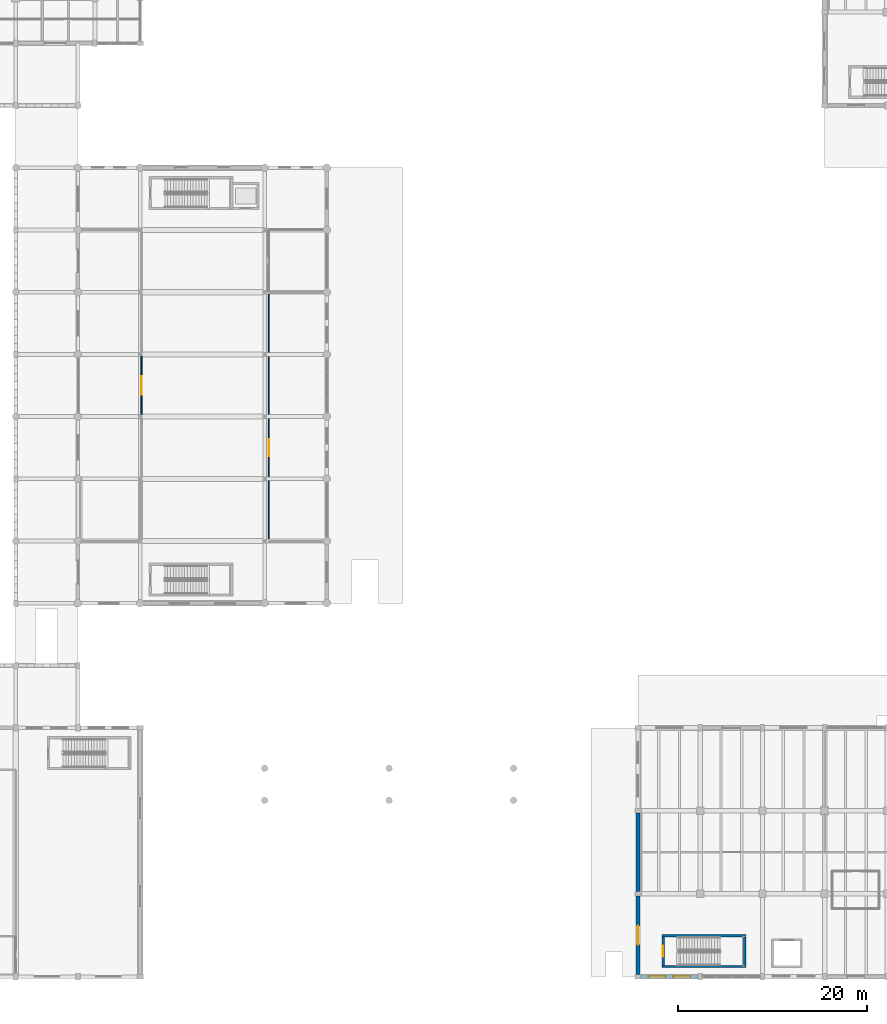
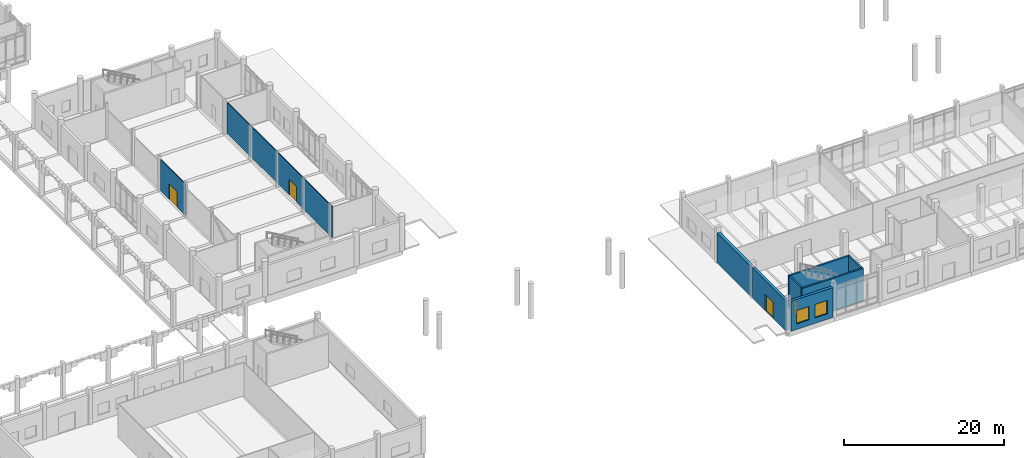
# One storey, part 46 of 72: 9 walls, 4 doors, 2 windows, 6 openings.
"""IFC4 building model written with IfcOpenShell, lengths in metres."""

from ifc_helpers import new_model, si_unit, direction, frame, frame_2d, origin, place, context, subcontext, project, spatial, rectangle, extrude, material, layer, layer_set, type_object, element, fill, save


model = new_model("IFC4")

# Units and contexts
model_context = context("Model", 3, precision=1e-05, world=origin(), true_north=direction((0.0, 1.0)))
body_context = subcontext(model_context, "Body", "Model", "MODEL_VIEW")
ifc_project = project(units=[si_unit("LENGTHUNIT", "METRE"), si_unit("AREAUNIT", "SQUARE_METRE"), si_unit("VOLUMEUNIT", "CUBIC_METRE"), si_unit("PLANEANGLEUNIT", "RADIAN"), si_unit("MASSUNIT", "GRAM", prefix="KILO")], contexts=[model_context])

# Site, building, storey
site_placement = place(None, origin())
site = spatial("IfcSite", under=ifc_project, at=site_placement, CompositionType="ELEMENT")
building_placement = place(site_placement, origin())
building = spatial("IfcBuilding", under=site, at=building_placement, Name="Dornvale Research Institute", CompositionType="ELEMENT")
storey_placement = place(building_placement, origin())
storey = spatial("IfcBuildingStorey", under=building, at=storey_placement, Name="L00", CompositionType="ELEMENT", Elevation=0.0)

# Wall, opening, door
ifc_material_1 = material(Name="Acoustic Insulated Double-Stud Laboratory Partition")
ifc_layer_1 = layer(ifc_material_1, 0.1201171875)
ifc_layer_set_1 = layer_set([ifc_layer_1], Name="Acoustic Insulated Double-Stud Laboratory Partition")
wall_type_1 = type_object("IfcWallType", Name="Partition_Dry_120", PredefinedType="PARTITIONING", material=ifc_layer_set_1)
wall_1_placement = place(storey_placement, frame((46.35009765625, 59.597900390625, 0.0), z_axis=(0.0, 0.0, 1.0), x_axis=(0.0, 1.0, 0.0)))
wall_1 = element("IfcWall", 1, at=wall_1_placement, inside=storey, type_object=wall_type_1, Name="L00 V2 interior partition #134", PredefinedType="PARTITIONING", context=body_context, shape_type="SweptSolid", body=[
    extrude(rectangle(XDim=6.2294921875, YDim=0.1201171875, at=frame_2d((3.11474609375, 0.0))), origin(), (0.0, 0.0, 1.0), 4.780029296875),
])
opening_1_placement = place(wall_1_placement, frame((2.14208984375, 0.0, 0.0)))
opening_1 = element("IfcOpeningElement", 2, at=opening_1_placement, cuts=wall_1, Name="Opening ID-16", PredefinedType="OPENING", context=body_context, shape_type="SweptSolid", body=[
    extrude(rectangle(XDim=1.919921875, YDim=2.39990234375, at=frame_2d((0.9599609375, 1.199951171875))), frame((0.0, 0.074951171875, 0.0), z_axis=(0.0, -1.0, 0.0), x_axis=(1.0, 0.0, 0.0)), (0.0, 0.0, 1.0), 0.150146484375),
])
ifc_material_2 = material(Name="Phenolic-Faced Solid-Core Laboratory Door Assembly")
door_type_1 = type_object("IfcDoorType", Name="Door_Gallery_1920x2400", OperationType="SINGLE_SWING_LEFT", PredefinedType="DOOR", material=ifc_material_2)
door_1_placement = place(opening_1_placement, origin())
door_1 = element("IfcDoor", 3, at=door_1_placement, inside=storey, type_object=door_type_1, Name="L00 Natural History Exhibition Gallery door #55", OperationType="DOUBLE_DOOR_SINGLE_SWING", OverallHeight=2.39990234375, OverallWidth=1.919921875, PredefinedType="DOOR", context=body_context, shape_type="SweptSolid", body=[
    extrude(rectangle(XDim=1.919921875, YDim=2.39990234375, at=frame_2d((0.9599609375, 1.199951171875))), frame((0.0, 0.02490234375, 0.0), z_axis=(0.0, -1.0, 0.0), x_axis=(1.0, 0.0, 0.0)), (0.0, 0.0, 1.0), 0.050048828125),
])
fill(opening_1, door_1)

wall_2_placement = place(storey_placement, frame((59.85009765625, 46.27490234375, 0.0), z_axis=(0.0, 0.0, 1.0), x_axis=(0.0, 1.0, 0.0)))
wall_2 = element("IfcWall", 4, at=wall_2_placement, inside=storey, type_object=wall_type_1, Name="L00 V2 interior partition #139", PredefinedType="PARTITIONING", context=body_context, shape_type="SweptSolid", body=[
    extrude(rectangle(XDim=26.25, YDim=0.1201171875, at=frame_2d((13.125, 0.0))), origin(), (0.0, 0.0, 1.0), 4.72998046875),
])
opening_2_placement = place(wall_2_placement, frame((8.93505859375, 0.0, 0.0)))
opening_2 = element("IfcOpeningElement", 5, at=opening_2_placement, cuts=wall_2, Name="Opening ID-17", PredefinedType="OPENING", context=body_context, shape_type="SweptSolid", body=[
    extrude(rectangle(XDim=1.780029296875, YDim=2.35009765625, at=frame_2d((0.89013671875, 1.175048828125))), frame((0.0, 0.074951171875, 0.0), z_axis=(0.0, -1.0, 0.0), x_axis=(1.0, 0.0, 0.0)), (0.0, 0.0, 1.0), 0.150146484375),
])
ifc_material_3 = material(Name="Phenolic-Faced Solid-Core Laboratory Door Assembly")
door_type_2 = type_object("IfcDoorType", Name="Door_Cafe_1780x2350", OperationType="SINGLE_SWING_LEFT", PredefinedType="DOOR", material=ifc_material_3)
door_2_placement = place(opening_2_placement, origin())
door_2 = element("IfcDoor", 6, at=door_2_placement, inside=storey, type_object=door_type_2, Name="L00 Dornvale Square Commons Cafe door #56", OperationType="DOUBLE_DOOR_SINGLE_SWING", OverallHeight=2.35009765625, OverallWidth=1.780029296875, PredefinedType="DOOR", context=body_context, shape_type="SweptSolid", body=[
    extrude(rectangle(XDim=1.780029296875, YDim=2.35009765625, at=frame_2d((0.89013671875, 1.175048828125))), frame((0.0, 0.02490234375, 0.0), z_axis=(0.0, -1.0, 0.0), x_axis=(1.0, 0.0, 0.0)), (0.0, 0.0, 1.0), 0.050048828125),
])
fill(opening_2, door_2)

# Walls
ifc_material_4 = material(Name="Concrete f'c 45 MPa (C35/45)", Category="concrete")
ifc_layer_2 = layer(ifc_material_4, 0.25)
ifc_layer_set_2 = layer_set([ifc_layer_2], Name="Concrete f'c 45 MPa (C35/45)")
wall_type_2 = type_object("IfcWallType", Name="ShearWall_Core_250", PredefinedType="SHEAR", material=ifc_layer_set_2)
for number, where, z_axis, x_axis, name in (
    (7, (101.550048828125, 1.074951171875, 0.0), (0.0, 0.0, 1.0), (1.0, 0.0, 0.0), "L00 ST-5 shaft shear wall south"),
    (8, (101.550048828125, 4.324951171875, 0.0), (0.0, 0.0, 1.0), (1.0, 0.0, 0.0), "L00 ST-5 shaft shear wall north"),
):
    element("IfcWall", number, at=place(storey_placement, frame(where, z_axis=z_axis, x_axis=x_axis)), inside=storey, type_object=wall_type_2, Name=name, PredefinedType="SHEAR", context=body_context, shape_type="SweptSolid", body=[
        extrude(rectangle(XDim=8.89990234375, YDim=0.25, at=frame_2d((4.449951171875, 0.0))), origin(), (0.0, 0.0, 1.0), 5.0400390625),
    ])

# Wall, opening, door
wall_3_placement = place(storey_placement, frame((101.675048828125, 1.199951171875, 0.0), z_axis=(0.0, 0.0, 1.0), x_axis=(0.0, 1.0, 0.0)))
wall_3 = element("IfcWall", 9, at=wall_3_placement, inside=storey, type_object=wall_type_2, Name="L00 ST-5 shaft shear wall west", PredefinedType="SHEAR", context=body_context, shape_type="SweptSolid", body=[
    extrude(rectangle(XDim=3.0, YDim=0.25, at=frame_2d((1.5, 0.0))), origin(), (0.0, 0.0, 1.0), 5.0400390625),
])
opening_3_placement = place(wall_3_placement, frame((0.93994140625, 0.0, 0.0)))
opening_3 = element("IfcOpeningElement", 10, at=opening_3_placement, cuts=wall_3, Name="Opening SD-01", PredefinedType="OPENING", context=body_context, shape_type="SweptSolid", body=[
    extrude(rectangle(XDim=1.1201171875, YDim=2.199951171875, at=frame_2d((0.56005859375, 1.10009765625))), frame((0.0, 0.139892578125, 0.0), z_axis=(0.0, -1.0, 0.0), x_axis=(1.0, 0.0, 0.0)), (0.0, 0.0, 1.0), 0.280029296875),
])
ifc_material_5 = material(Name="Insulated Fire-Rated Hollow Metal Door Assembly")
door_type_3 = type_object("IfcDoorType", Name="Door_Stair_1120x2200", OperationType="SINGLE_SWING_LEFT", PredefinedType="DOOR", material=ifc_material_5)
door_3_placement = place(opening_3_placement, origin())
door_3 = element("IfcDoor", 11, at=door_3_placement, inside=storey, type_object=door_type_3, Name="L00 ST-5 exit stair door #42", OperationType="SINGLE_SWING_RIGHT", OverallHeight=2.199951171875, OverallWidth=1.1201171875, PredefinedType="DOOR", context=body_context, shape_type="SweptSolid", body=[
    extrude(rectangle(XDim=1.1201171875, YDim=2.199951171875, at=frame_2d((0.56005859375, 1.10009765625))), frame((0.0, 0.02490234375, 0.0), z_axis=(0.0, -1.0, 0.0), x_axis=(1.0, 0.0, 0.0)), (0.0, 0.0, 1.0), 0.050048828125),
])
fill(opening_3, door_3)

# Walls
wall_4_placement = place(storey_placement, frame((110.324951171875, 1.199951171875, 0.0), z_axis=(0.0, 0.0, 1.0), x_axis=(0.0, 1.0, 0.0)))
element("IfcWall", 12, at=wall_4_placement, inside=storey, type_object=wall_type_2, Name="L00 ST-5 shaft shear wall east", PredefinedType="SHEAR", context=body_context, shape_type="SweptSolid", body=[
    extrude(rectangle(XDim=3.0, YDim=0.25, at=frame_2d((1.5, 0.0))), origin(), (0.0, 0.0, 1.0), 5.0400390625),
])
ifc_material_6 = material(Name="Precast Concrete f'c 40 MPa (C32/40) and Glazed Terracotta Backup Wall", Category="masonry")
ifc_layer_3 = layer(ifc_material_6, 0.449951171875)
ifc_layer_set_3 = layer_set([ifc_layer_3], Name="Precast Concrete f'c 40 MPa (C32/40) and Glazed Terracotta Backup Wall")
wall_type_3 = type_object("IfcWallType", Name="SolidWall_ShearBraceBay_450", PredefinedType="SOLIDWALL", material=ifc_layer_set_3)
wall_5_placement = place(storey_placement, frame((99.0, 9.02490234375, 0.0), z_axis=(0.0, 0.0, 1.0), x_axis=(0.0, 1.0, 0.0)))
element("IfcWall", 13, at=wall_5_placement, inside=storey, type_object=wall_type_3, Name="L00 V3 west exterior wall #111", PredefinedType="SOLIDWALL", context=body_context, shape_type="SweptSolid", body=[
    extrude(rectangle(XDim=8.35009765625, YDim=0.449951171875, at=frame_2d((4.175048828125, 0.0))), origin(), (0.0, 0.0, 1.0), 4.580078125),
])

# Wall, opening, door
ifc_material_7 = material(Name="Precast Concrete f'c 40 MPa (C32/40) and Glazed Terracotta Backup Wall", Category="masonry")
ifc_layer_4 = layer(ifc_material_7, 0.39990234375)
ifc_layer_set_4 = layer_set([ifc_layer_4], Name="Precast Concrete f'c 40 MPa (C32/40) and Glazed Terracotta Backup Wall")
wall_type_4 = type_object("IfcWallType", Name="StandardWall_CleanroomExt_400", PredefinedType="STANDARD", material=ifc_layer_set_4)
wall_6_placement = place(storey_placement, frame((99.0, 0.22509765625, 0.0), z_axis=(0.0, 0.0, 1.0), x_axis=(0.0, 1.0, 0.0)))
wall_6 = element("IfcWall", 14, at=wall_6_placement, inside=storey, type_object=wall_type_4, Name="L00 V3 west exterior wall #110", PredefinedType="STANDARD", context=body_context, shape_type="SweptSolid", body=[
    extrude(rectangle(XDim=8.349853515625, YDim=0.39990234375, at=frame_2d((4.1748046875, 0.0))), origin(), (0.0, 0.0, 1.0), 4.580078125),
])
opening_4_placement = place(wall_6_placement, frame((3.175048828125, 0.0, 0.0)))
opening_4 = element("IfcOpeningElement", 15, at=opening_4_placement, cuts=wall_6, Name="Opening ED-04", PredefinedType="OPENING", context=body_context, shape_type="SweptSolid", body=[
    extrude(rectangle(XDim=2.0, YDim=2.449951171875, at=frame_2d((1.0, 1.22509765625))), frame((0.0, 0.21484375, 0.0), z_axis=(0.0, -1.0, 0.0), x_axis=(1.0, 0.0, 0.0)), (0.0, 0.0, 1.0), 0.429931640625),
])
ifc_material_8 = material(Name="Galvanized Hollow Metal Insulated Door Assembly")
door_type_4 = type_object("IfcDoorType", Name="Door_ExtExit_2000x2450", OperationType="SINGLE_SWING_LEFT", PredefinedType="DOOR", material=ifc_material_8)
door_4_placement = place(opening_4_placement, origin())
door_4 = element("IfcDoor", 16, at=door_4_placement, inside=storey, type_object=door_type_4, Name="L00 V3 final exit door ED-04 #14", OperationType="DOUBLE_DOOR_SINGLE_SWING", OverallHeight=2.449951171875, OverallWidth=2.0, PredefinedType="DOOR", context=body_context, shape_type="SweptSolid", body=[
    extrude(rectangle(XDim=2.0, YDim=2.449951171875, at=frame_2d((1.0, 1.22509765625))), frame((0.0, 0.02490234375, 0.0), z_axis=(0.0, -1.0, 0.0), x_axis=(1.0, 0.0, 0.0)), (0.0, 0.0, 1.0), 0.050048828125),
])
fill(opening_4, door_4)

# Wall, openings, windows
wall_7_placement = place(storey_placement, frame((105.375, 0.0, 0.0), z_axis=(0.0, 0.0, 1.0), x_axis=(-1.0, 0.0, 0.0)))
wall_7 = element("IfcWall", 17, at=wall_7_placement, inside=storey, type_object=wall_type_4, Name="L00 V3 south exterior wall #129", PredefinedType="STANDARD", context=body_context, shape_type="SweptSolid", body=[
    extrude(rectangle(XDim=6.050048828125, YDim=0.39990234375, at=frame_2d((3.02490234375, 0.0))), origin(), (0.0, 0.0, 1.0), 4.580078125),
])
opening_5_placement = place(wall_7_placement, frame((0.816650390625, 0.0, 0.85009765625)))
opening_5 = element("IfcOpeningElement", 18, at=opening_5_placement, cuts=wall_7, Name="Opening W-29", PredefinedType="OPENING", context=body_context, shape_type="SweptSolid", body=[
    extrude(rectangle(XDim=1.800048828125, YDim=2.0400390625, at=frame_2d((0.89990234375, 1.02001953125))), frame((0.0, 0.21484375, 0.0), z_axis=(0.0, -1.0, 0.0), x_axis=(1.0, 0.0, 0.0)), (0.0, 0.0, 1.0), 0.429931640625),
])
opening_6_placement = place(wall_7_placement, frame((3.433349609375, 0.0, 0.85009765625)))
opening_6 = element("IfcOpeningElement", 19, at=opening_6_placement, cuts=wall_7, Name="Opening W-29", PredefinedType="OPENING", context=body_context, shape_type="SweptSolid", body=[
    extrude(rectangle(XDim=1.800048828125, YDim=2.0400390625, at=frame_2d((0.89990234375, 1.02001953125))), frame((0.0, 0.21484375, 0.0), z_axis=(0.0, -1.0, 0.0), x_axis=(1.0, 0.0, 0.0)), (0.0, 0.0, 1.0), 0.429931640625),
])
ifc_material_9 = material(Name="Low-E Argon Double Insulating Glazing Unit", Category="glass")
window_type = type_object("IfcWindowType", Name="Window_Alu_1800x2040_29", PartitioningType="DOUBLE_PANEL_VERTICAL", PredefinedType="WINDOW", material=ifc_material_9)
window_1_placement = place(opening_5_placement, origin())
window_1 = element("IfcWindow", 20, at=window_1_placement, inside=storey, type_object=window_type, Name="L00 V3 facade window W-29 #161", OverallHeight=2.0400390625, OverallWidth=1.800048828125, PartitioningType="DOUBLE_PANEL_VERTICAL", PredefinedType="WINDOW", context=body_context, shape_type="SweptSolid", body=[
    extrude(rectangle(XDim=1.800048828125, YDim=2.0400390625, at=frame_2d((0.89990234375, 1.02001953125))), frame((0.0, 0.030029296875, 0.0), z_axis=(0.0, -1.0, 0.0), x_axis=(1.0, 0.0, 0.0)), (0.0, 0.0, 1.0), 0.06005859375),
])
fill(opening_5, window_1)
window_2_placement = place(opening_6_placement, origin())
window_2 = element("IfcWindow", 21, at=window_2_placement, inside=storey, type_object=window_type, Name="L00 V3 facade window W-29 #162", OverallHeight=2.0400390625, OverallWidth=1.800048828125, PartitioningType="DOUBLE_PANEL_VERTICAL", PredefinedType="WINDOW", context=body_context, shape_type="SweptSolid", body=[
    extrude(rectangle(XDim=1.800048828125, YDim=2.0400390625, at=frame_2d((0.89990234375, 1.02001953125))), frame((0.0, 0.030029296875, 0.0), z_axis=(0.0, -1.0, 0.0), x_axis=(1.0, 0.0, 0.0)), (0.0, 0.0, 1.0), 0.06005859375),
])
fill(opening_6, window_2)

save(model, "model.ifc")
